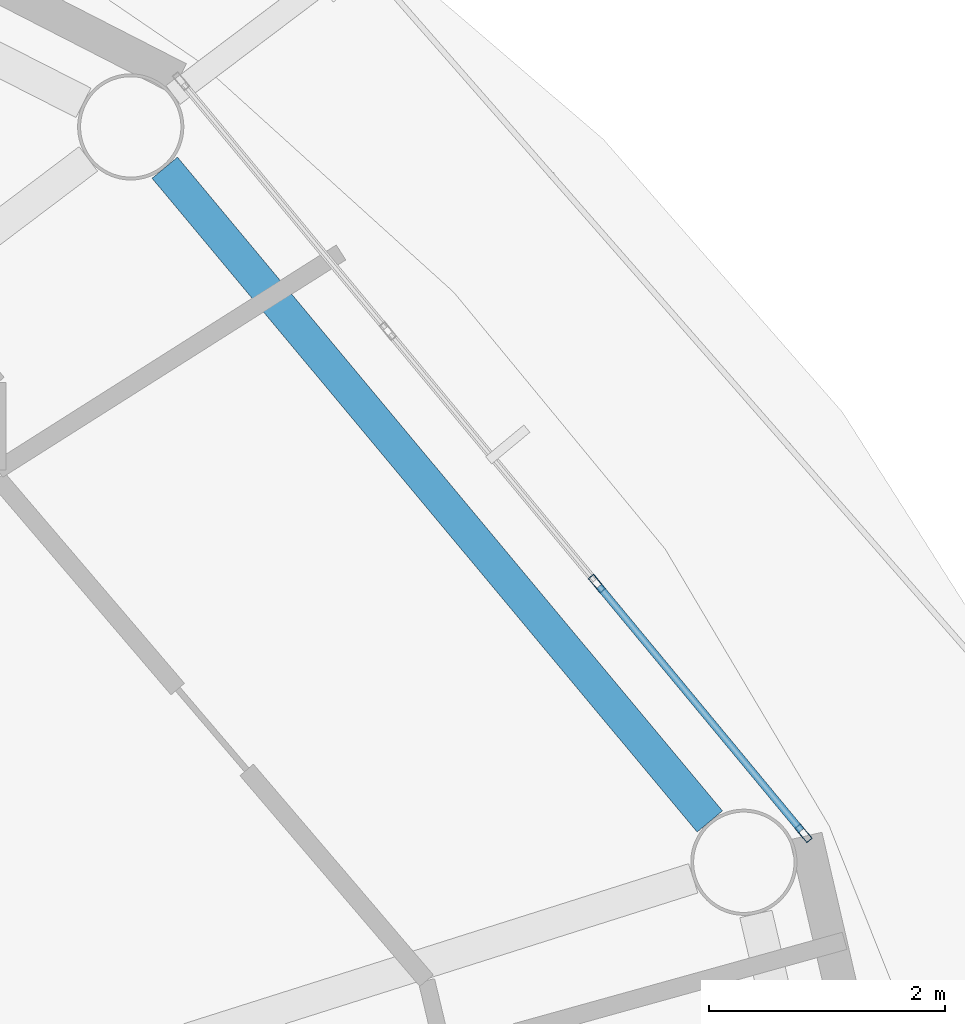
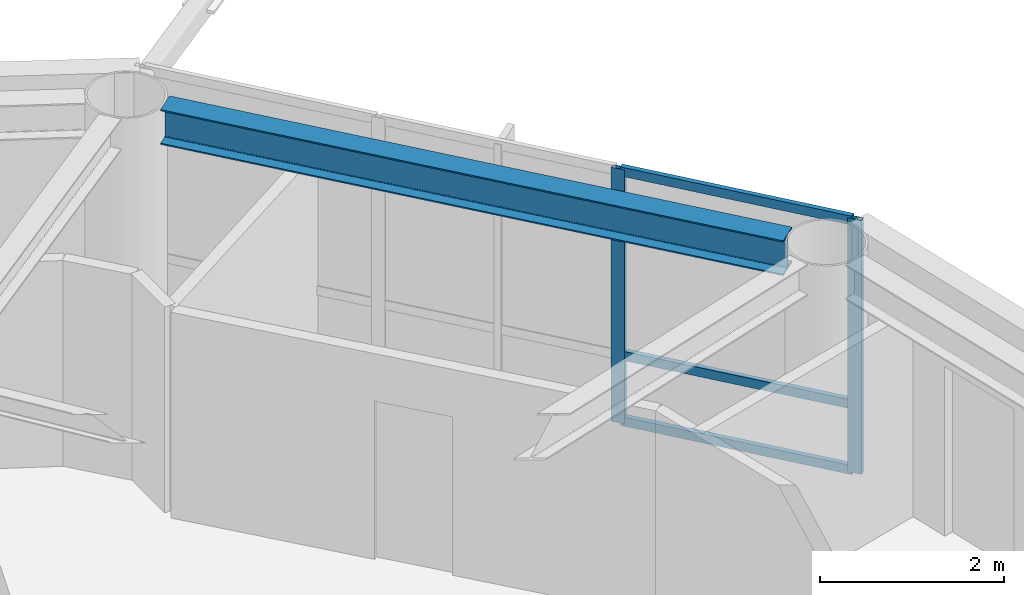
# One storey, part 7 of 22: 5 members, 1 beam, 1 element without a shape of its own.
"""IFC4 building model written with IfcOpenShell, lengths in metres."""

from ifc_helpers import new_model, si_unit, direction, frame, origin, origin_2d, place, context, subcontext, project, spatial, hollow_rectangle, i_section, extrude, material, layer, layer_set, material_profile, profile_set, type_object, element, aggregate, save


model = new_model("IFC4")

# Units and contexts
model_context = context("Model", 3, precision=1e-05, world=origin(), true_north=direction((0.0, 1.0)))
body_context = subcontext(model_context, "Body", "Model", "MODEL_VIEW")
ifc_project = project(units=[si_unit("LENGTHUNIT", "METRE"), si_unit("AREAUNIT", "SQUARE_METRE"), si_unit("VOLUMEUNIT", "CUBIC_METRE"), si_unit("PLANEANGLEUNIT", "RADIAN"), si_unit("MASSUNIT", "GRAM", prefix="KILO")], contexts=[model_context])

# Site, building, storey
site_placement = place(None, origin())
site = spatial("IfcSite", under=ifc_project, at=site_placement, CompositionType="ELEMENT")
building_placement = place(site_placement, origin())
building = spatial("IfcBuilding", under=site, at=building_placement, Name="Sarneth Arch Tower", CompositionType="ELEMENT")
storey_placement = place(building_placement, frame((0.0, 0.0, 301.800048828125)))
storey = spatial("IfcBuildingStorey", under=building, at=storey_placement, Name="L78", CompositionType="ELEMENT", Elevation=301.800048828125)

# Beam
ifc_material_1 = material(Name="Steel S355", Category="steel")
ifc_material_profile_1 = material_profile(ifc_material_1, i_section(OverallWidth=0.280029296875, OverallDepth=0.462890625, WebThickness=0.0107421875, FlangeThickness=0.017333984375, FilletRadius=0.01806640625, at=origin_2d()), Name="W460x113")
ifc_profile_set_1 = profile_set([ifc_material_profile_1], Name="Steel S355")
beam_type = type_object("IfcBeamType", Name="BM-RAD-460A", PredefinedType="BEAM", material=ifc_profile_set_1)
beam_placement = place(storey_placement, frame((70.880615234375, 49.693115234375, 3.138427734375), z_axis=(-0.640390876881, 0.768049168222, 0.0), x_axis=(-0.768049168222, -0.640390876881, 0.0)))
element("IfcBeam", 1, at=beam_placement, inside=storey, type_object=beam_type, Name="L78 Perimeter spandrel beam 02", PredefinedType="BEAM", context=body_context, shape_type="SweptSolid", body=[
    extrude(i_section(OverallWidth=0.280029296875, OverallDepth=0.462890625, WebThickness=0.0107421875, FlangeThickness=0.017333984375, FilletRadius=0.01806640625, at=origin_2d()), origin(), (0.0, 0.0, 1.0), 7.2099609375),
])

# Curtain wall, members
ifc_material_2 = material(Name="Anodised aluminium Type AA25 and solar-control low-e laminated IGU", Category="aluminium")
ifc_layer = layer(ifc_material_2, 0.179931640625)
ifc_layer_set = layer_set([ifc_layer], Name="Anodised aluminium Type AA25 and solar-control low-e laminated IGU")
curtain_wall_type = type_object("IfcCurtainWallType", Name="CW-RES-HIGH", PredefinedType="NOTDEFINED", material=ifc_layer_set)
curtain_wall_placement = place(storey_placement, origin())
curtain_wall = element("IfcCurtainWall", 2, at=curtain_wall_placement, inside=storey, type_object=curtain_wall_type, Name="L78 Unitised curtain wall facet 02", PredefinedType="NOTDEFINED")
ifc_material_3 = material(Name="Anodised Aluminium 6063-T6", Category="aluminium")
ifc_material_profile_2 = material_profile(ifc_material_3, hollow_rectangle(XDim=0.06005859375, YDim=0.159912109375, WallThickness=0.00390625, at=origin_2d()), Name="AL-MULL-160x60x4")
ifc_profile_set_2 = profile_set([ifc_material_profile_2], Name="Anodised Aluminium 6063-T6")
member_type_1 = type_object("IfcMemberType", Name="CW-MULLION", PredefinedType="MULLION", material=ifc_profile_set_2)
member_1_placement = place(storey_placement, frame((71.674560546875, 49.592529296875, 0.0), z_axis=(0.0, 0.0, 1.0), x_axis=(-0.770359245933, -0.637610094184, 0.0)))
member_1 = element("IfcMember", 3, at=member_1_placement, type_object=member_type_1, Name="CW-SYS-6 mullion 1", PredefinedType="MULLION", context=body_context, shape_type="SweptSolid", body=[
    extrude(hollow_rectangle(XDim=0.06005859375, YDim=0.159912109375, WallThickness=0.00390625, at=origin_2d()), origin(), (0.0, 0.0, 1.0), 3.369873046875),
])
member_2_placement = place(storey_placement, frame((69.92333984375, 51.70849609375, 0.0), z_axis=(0.0, 0.0, 1.0), x_axis=(-0.770359245933, -0.637610094184, 0.0)))
member_2 = element("IfcMember", 4, at=member_2_placement, type_object=member_type_1, Name="CW-SYS-6 mullion 2", PredefinedType="MULLION", context=body_context, shape_type="SweptSolid", body=[
    extrude(hollow_rectangle(XDim=0.06005859375, YDim=0.159912109375, WallThickness=0.00390625, at=origin_2d()), origin(), (0.0, 0.0, 1.0), 3.369873046875),
])
ifc_material_4 = material(Name="Anodised Aluminium 6063-T6", Category="aluminium")
ifc_material_profile_3 = material_profile(ifc_material_4, hollow_rectangle(XDim=0.06005859375, YDim=0.1201171875, WallThickness=0.00390625, at=origin_2d()), Name="AL-TRAN-120x60x4")
ifc_profile_set_3 = profile_set([ifc_material_profile_3], Name="Anodised Aluminium 6063-T6")
member_type_2 = type_object("IfcMemberType", Name="CW-TRANSOM", PredefinedType="USERDEFINED", material=ifc_profile_set_3)
member_3_placement = place(storey_placement, frame((71.655517578125, 49.61572265625, 0.030029296875), z_axis=(-0.637651400067, 0.770325056059, 0.0), x_axis=(-0.770325056059, -0.637651400067, 0.0)))
member_3 = element("IfcMember", 5, at=member_3_placement, type_object=member_type_2, Name="CW-SYS-6 transom 1.1", ObjectType="TRANSOM", PredefinedType="USERDEFINED", context=body_context, shape_type="SweptSolid", body=[
    extrude(hollow_rectangle(XDim=0.06005859375, YDim=0.1201171875, WallThickness=0.00390625, at=origin_2d()), origin(), (0.0, 0.0, 1.0), 2.6865234375),
])
member_4_placement = place(storey_placement, frame((71.655517578125, 49.61572265625, 0.89990234375), z_axis=(-0.637651400067, 0.770325056059, 0.0), x_axis=(-0.770325056059, -0.637651400067, 0.0)))
member_4 = element("IfcMember", 6, at=member_4_placement, type_object=member_type_2, Name="CW-SYS-6 transom 1.2", ObjectType="TRANSOM", PredefinedType="USERDEFINED", context=body_context, shape_type="SweptSolid", body=[
    extrude(hollow_rectangle(XDim=0.06005859375, YDim=0.1201171875, WallThickness=0.00390625, at=origin_2d()), origin(), (0.0, 0.0, 1.0), 2.6865234375),
])
member_5_placement = place(storey_placement, frame((71.655517578125, 49.61572265625, 3.33984375), z_axis=(-0.637651400067, 0.770325056059, 0.0), x_axis=(-0.770325056059, -0.637651400067, 0.0)))
member_5 = element("IfcMember", 7, at=member_5_placement, type_object=member_type_2, Name="CW-SYS-6 transom 1.3", ObjectType="TRANSOM", PredefinedType="USERDEFINED", context=body_context, shape_type="SweptSolid", body=[
    extrude(hollow_rectangle(XDim=0.06005859375, YDim=0.1201171875, WallThickness=0.00390625, at=origin_2d()), origin(), (0.0, 0.0, 1.0), 2.6865234375),
])
aggregate(curtain_wall, [member_1, member_2, member_3, member_4, member_5])

save(model, "model.ifc")
